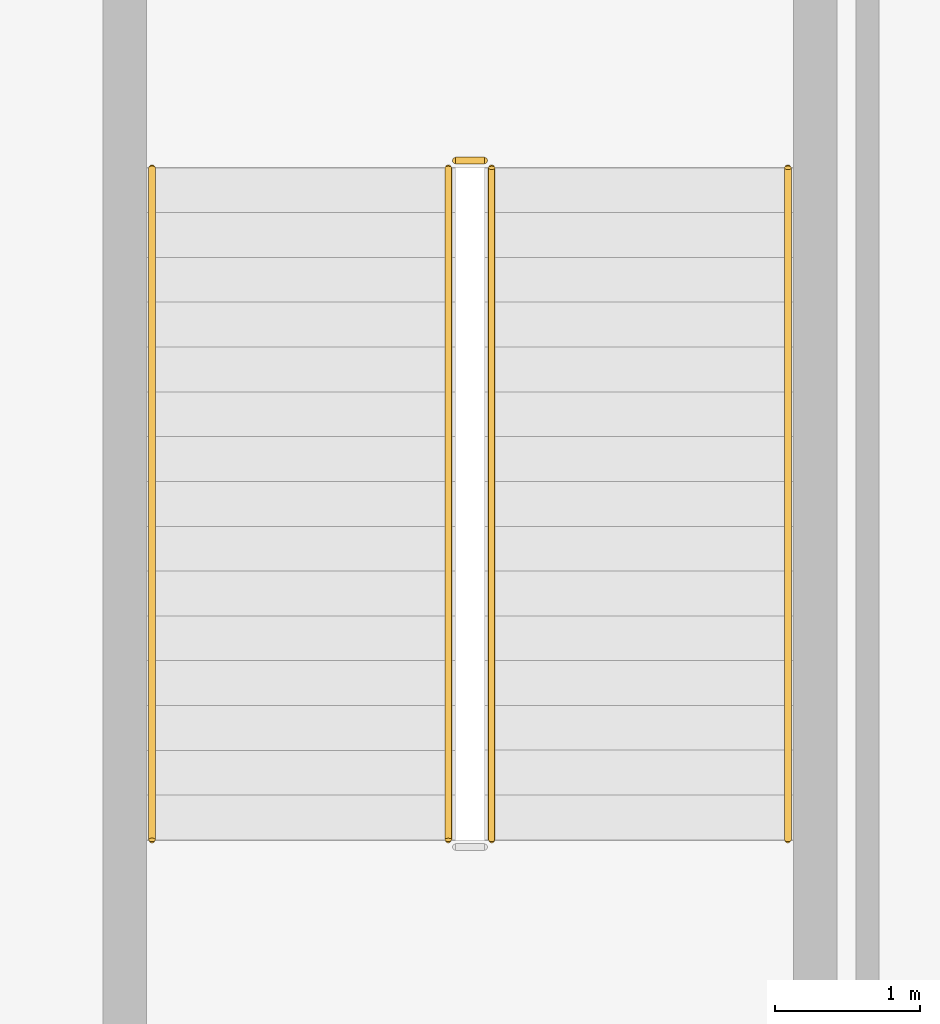
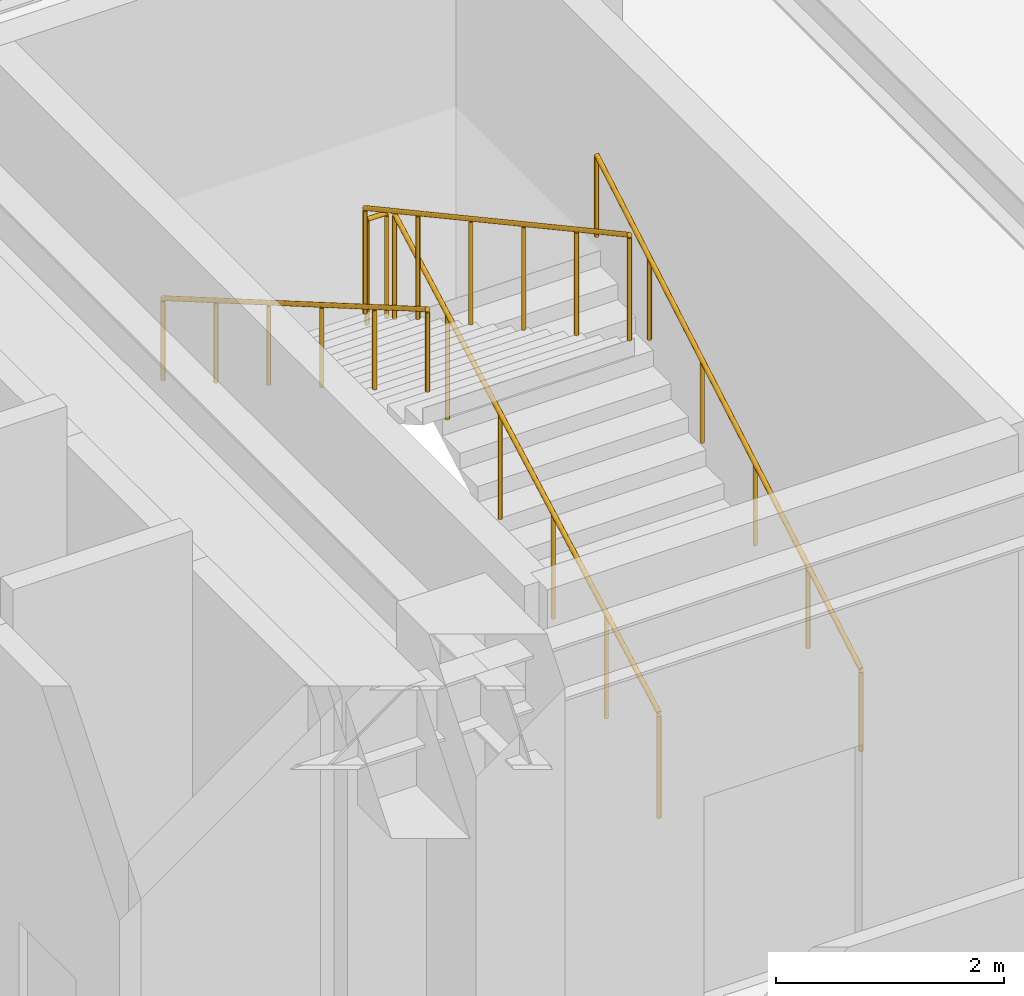
# One storey, part 35 of 35: 5 railings.
"""IFC4 building model written with IfcOpenShell, lengths in metres."""

from ifc_helpers import new_model, si_unit, direction, frame, origin, origin_2d, place, context, subcontext, project, spatial, circle, extrude, material, type_object, element, save


model = new_model("IFC4")

# Units and contexts
model_context = context("Model", 3, precision=1e-05, world=origin(), true_north=direction((0.0, 1.0)))
body_context = subcontext(model_context, "Body", "Model", "MODEL_VIEW")
ifc_project = project(units=[si_unit("LENGTHUNIT", "METRE"), si_unit("AREAUNIT", "SQUARE_METRE"), si_unit("VOLUMEUNIT", "CUBIC_METRE"), si_unit("PLANEANGLEUNIT", "RADIAN"), si_unit("MASSUNIT", "GRAM", prefix="KILO")], contexts=[model_context])

# Site, building, storey
site_placement = place(None, origin())
site = spatial("IfcSite", under=ifc_project, at=site_placement, CompositionType="ELEMENT")
building_placement = place(site_placement, origin())
building = spatial("IfcBuilding", under=site, at=building_placement, Name="Nahalor Promenade Grand Hotel", CompositionType="ELEMENT")
storey_placement = place(building_placement, frame((0.0, 0.0, 21.60009765625)))
storey = spatial("IfcBuildingStorey", under=building, at=storey_placement, Name="L04", CompositionType="ELEMENT", Elevation=21.60009765625)

# Railings
ifc_material = material(Name="Steel S355JR", Category="steel")
railing_type_1 = type_object("IfcRailingType", Name="Steel Stair Guardrail 1150 mm", PredefinedType="GUARDRAIL", material=ifc_material)
railing_1_placement = place(storey_placement, frame((20.60009765625, 8.5, 0.168701171875)))
element("IfcRailing", 1, at=railing_1_placement, inside=storey, type_object=railing_type_1, Name="L04 ST4 stair guard 1", PredefinedType="GUARDRAIL", context=body_context, shape_type="SweptSolid", body=[
    extrude(circle(Radius=0.024048, at=origin_2d()), frame((0.0, 0.0, 1.1259765625), z_axis=(0.0, 0.878297076953, 0.478115304728), x_axis=(-1.0, 0.0, 0.0)), (0.0, 0.0, 1.0), 5.294189453125),
    extrude(circle(Radius=0.020996, at=origin_2d()), origin(), (0.0, 0.0, 1.0), 1.099853515625),
    extrude(circle(Radius=0.020996, at=origin_2d()), frame((0.0, 0.929931640625, 0.50634765625)), (0.0, 0.0, 1.0), 1.099853515625),
    extrude(circle(Radius=0.020996, at=origin_2d()), frame((0.0, 1.85986328125, 1.012451171875)), (0.0, 0.0, 1.0), 1.099853515625),
    extrude(circle(Radius=0.020996, at=origin_2d()), frame((0.0, 2.7900390625, 1.518798828125)), (0.0, 0.0, 1.0), 1.099853515625),
    extrude(circle(Radius=0.020996, at=origin_2d()), frame((0.0, 3.719970703125, 2.02490234375)), (0.0, 0.0, 1.0), 1.099853515625),
    extrude(circle(Radius=0.020996, at=origin_2d()), frame((0.0, 4.64990234375, 2.53125)), (0.0, 0.0, 1.0), 1.099853515625),
])
railing_2_placement = place(storey_placement, frame((20.550048828125, 13.199951171875, 2.699951171875)))
element("IfcRailing", 2, at=railing_2_placement, inside=storey, type_object=railing_type_1, Name="L04 ST4 stair guard 2", PredefinedType="GUARDRAIL", context=body_context, shape_type="SweptSolid", body=[
    extrude(circle(Radius=0.024048, at=origin_2d()), frame((0.0, 0.0, 1.1259765625), z_axis=(-1.0, 0.0, 0.0), x_axis=(0.0, -1.0, 0.0)), (0.0, 0.0, 1.0), 0.199951171875),
    extrude(circle(Radius=0.020996, at=origin_2d()), origin(), (0.0, 0.0, 1.0), 1.099853515625),
    extrude(circle(Radius=0.020996, at=origin_2d()), frame((-0.199951171875, 0.0, 0.0)), (0.0, 0.0, 1.0), 1.099853515625),
])
railing_3_placement = place(storey_placement, frame((20.300048828125, 13.14990234375, 2.86865234375)))
element("IfcRailing", 3, at=railing_3_placement, inside=storey, type_object=railing_type_1, Name="L04 ST4 stair guard 3", PredefinedType="GUARDRAIL", context=body_context, shape_type="SweptSolid", body=[
    extrude(circle(Radius=0.024048, at=origin_2d()), frame((0.0, 0.0, 1.1259765625), z_axis=(0.0, -0.878297076953, 0.478115304728), x_axis=(1.0, 0.0, 0.0)), (0.0, 0.0, 1.0), 5.294189453125),
    extrude(circle(Radius=0.020996, at=origin_2d()), origin(), (0.0, 0.0, 1.0), 1.099853515625),
    extrude(circle(Radius=0.020996, at=origin_2d()), frame((0.0, -0.929931640625, 0.50634765625)), (0.0, 0.0, 1.0), 1.099853515625),
    extrude(circle(Radius=0.020996, at=origin_2d()), frame((0.0, -1.85986328125, 1.012451171875)), (0.0, 0.0, 1.0), 1.099853515625),
    extrude(circle(Radius=0.020996, at=origin_2d()), frame((0.0, -2.7900390625, 1.518798828125)), (0.0, 0.0, 1.0), 1.099853515625),
    extrude(circle(Radius=0.020996, at=origin_2d()), frame((0.0, -3.719970703125, 2.02490234375)), (0.0, 0.0, 1.0), 1.099853515625),
    extrude(circle(Radius=0.020996, at=origin_2d()), frame((0.0, -4.64990234375, 2.53125)), (0.0, 0.0, 1.0), 1.099853515625),
])
railing_type_2 = type_object("IfcRailingType", Name="Steel Stair Handrail 900 mm", PredefinedType="HANDRAIL", material=ifc_material)
railing_4_placement = place(storey_placement, frame((22.64990234375, 8.5, 0.168701171875)))
element("IfcRailing", 4, at=railing_4_placement, inside=storey, type_object=railing_type_2, Name="L04 ST4 stair handrail 1", PredefinedType="HANDRAIL", context=body_context, shape_type="SweptSolid", body=[
    extrude(circle(Radius=0.024048, at=origin_2d()), frame((0.0, 0.0, 0.8759765625), z_axis=(0.0, 0.864788310583, 0.502136612766), x_axis=(-1.0, 0.0, 0.0)), (0.0, 0.0, 1.0), 5.376953125),
    extrude(circle(Radius=0.020996, at=origin_2d()), origin(), (0.0, 0.0, 1.0), 0.849853515625),
    extrude(circle(Radius=0.020996, at=origin_2d()), frame((0.0, 0.929931640625, 0.5400390625)), (0.0, 0.0, 1.0), 0.849853515625),
    extrude(circle(Radius=0.020996, at=origin_2d()), frame((0.0, 1.85986328125, 1.080078125)), (0.0, 0.0, 1.0), 0.849853515625),
    extrude(circle(Radius=0.020996, at=origin_2d()), frame((0.0, 2.7900390625, 1.619873046875)), (0.0, 0.0, 1.0), 0.849853515625),
    extrude(circle(Radius=0.020996, at=origin_2d()), frame((0.0, 3.719970703125, 2.159912109375)), (0.0, 0.0, 1.0), 0.849853515625),
    extrude(circle(Radius=0.020996, at=origin_2d()), frame((0.0, 4.64990234375, 2.699951171875)), (0.0, 0.0, 1.0), 0.849853515625),
])
railing_5_placement = place(storey_placement, frame((18.25, 13.14990234375, 2.86865234375)))
element("IfcRailing", 5, at=railing_5_placement, inside=storey, type_object=railing_type_2, Name="L04 ST4 stair handrail 2", PredefinedType="HANDRAIL", context=body_context, shape_type="SweptSolid", body=[
    extrude(circle(Radius=0.024048, at=origin_2d()), frame((0.0, 0.0, 0.8759765625), z_axis=(0.0, -0.864788310583, 0.502136612766), x_axis=(1.0, 0.0, 0.0)), (0.0, 0.0, 1.0), 5.376953125),
    extrude(circle(Radius=0.020996, at=origin_2d()), origin(), (0.0, 0.0, 1.0), 0.849853515625),
    extrude(circle(Radius=0.020996, at=origin_2d()), frame((0.0, -0.929931640625, 0.5400390625)), (0.0, 0.0, 1.0), 0.849853515625),
    extrude(circle(Radius=0.020996, at=origin_2d()), frame((0.0, -1.85986328125, 1.080078125)), (0.0, 0.0, 1.0), 0.849853515625),
    extrude(circle(Radius=0.020996, at=origin_2d()), frame((0.0, -2.7900390625, 1.619873046875)), (0.0, 0.0, 1.0), 0.849853515625),
    extrude(circle(Radius=0.020996, at=origin_2d()), frame((0.0, -3.719970703125, 2.159912109375)), (0.0, 0.0, 1.0), 0.849853515625),
    extrude(circle(Radius=0.020996, at=origin_2d()), frame((0.0, -4.64990234375, 2.699951171875)), (0.0, 0.0, 1.0), 0.849853515625),
])

save(model, "model.ifc")
